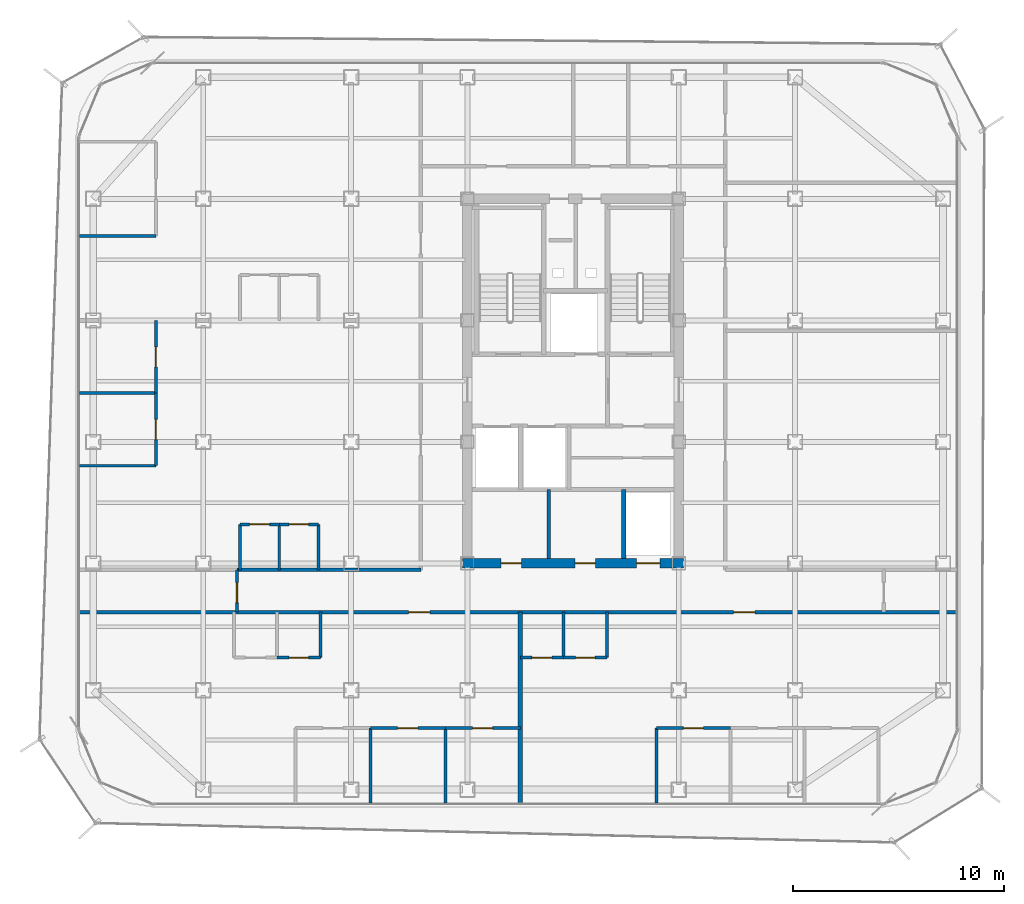
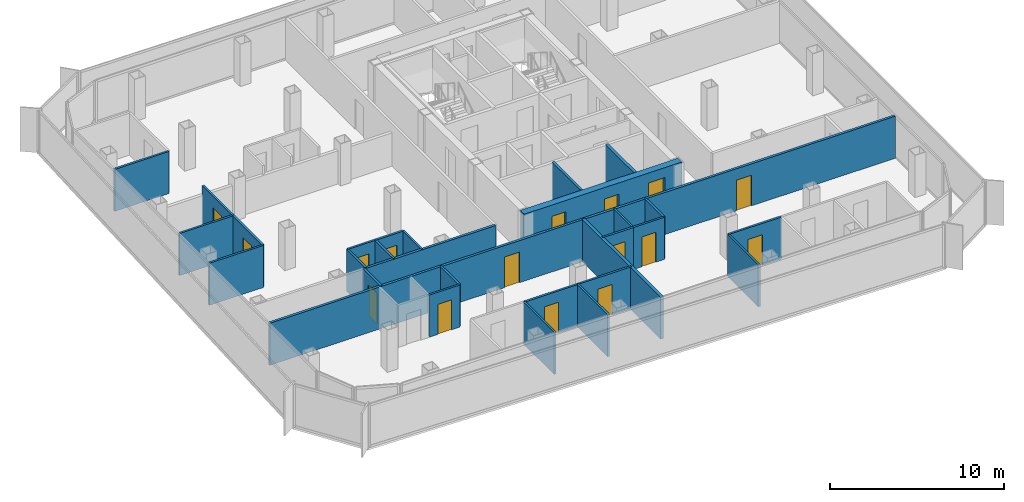
# One storey, part 10 of 15: 29 walls, 16 doors, 16 openings.
"""IFC4 building model written with IfcOpenShell, lengths in metres."""

from ifc_helpers import new_model, si_unit, direction, frame, frame_2d, origin, place, context, subcontext, project, spatial, rectangle, extrude, material, layer, layer_set, type_object, element, fill, save


model = new_model("IFC4")

# Units and contexts
model_context = context("Model", 3, precision=1e-05, world=origin(), true_north=direction((0.0, 1.0)))
body_context = subcontext(model_context, "Body", "Model", "MODEL_VIEW")
ifc_project = project(units=[si_unit("LENGTHUNIT", "METRE"), si_unit("AREAUNIT", "SQUARE_METRE"), si_unit("VOLUMEUNIT", "CUBIC_METRE"), si_unit("PLANEANGLEUNIT", "RADIAN"), si_unit("MASSUNIT", "GRAM", prefix="KILO")], contexts=[model_context])

# Site, building, storey
site_placement = place(None, origin())
site = spatial("IfcSite", under=ifc_project, at=site_placement, CompositionType="ELEMENT")
building_placement = place(site_placement, origin())
building = spatial("IfcBuilding", under=site, at=building_placement, Name="Kolveth Station Tower", CompositionType="ELEMENT")
storey_placement = place(building_placement, frame((0.0, 0.0, 181.699951171875)))
storey = spatial("IfcBuildingStorey", under=building, at=storey_placement, Name="L51", CompositionType="ELEMENT", Elevation=181.699951171875)

# Wall, openings, doors
ifc_material_1 = material(Name="Concrete C50/60", Category="concrete")
ifc_layer_1 = layer(ifc_material_1, 0.449951171875)
ifc_layer_set_1 = layer_set([ifc_layer_1], Name="Concrete C50/60")
wall_type_1 = type_object("IfcWallType", Name="Wall_CW-450", PredefinedType="SHEAR", material=ifc_layer_set_1)
wall_1_placement = place(storey_placement, frame((18.27490234375, 11.5, 0.0), z_axis=(0.0, 0.0, 1.0), x_axis=(1.0, 0.0, 0.0)))
wall_1 = element("IfcWall", 1, at=wall_1_placement, inside=storey, type_object=wall_type_1, Name="L51 Core RC Shear Wall S", PredefinedType="SHEAR", context=body_context, shape_type="SweptSolid", body=[
    extrude(rectangle(XDim=10.4501953125, YDim=0.449951171875, at=frame_2d((5.22509765625, 0.0))), origin(), (0.0, 0.0, 1.0), 2.949951171875),
])
opening_1_placement = place(wall_1_placement, frame((1.824951171875, 0.0, 0.0)))
opening_1 = element("IfcOpeningElement", 2, at=opening_1_placement, cuts=wall_1, Name="Opening ID1", PredefinedType="OPENING", context=body_context, shape_type="SweptSolid", body=[
    extrude(rectangle(XDim=0.949951171875, YDim=2.14990234375, at=frame_2d((0.47509765625, 1.074951171875))), frame((0.0, 0.23486328125, 0.0), z_axis=(0.0, -1.0, 0.0), x_axis=(1.0, 0.0, 0.0)), (0.0, 0.0, 1.0), 0.469970703125),
])
opening_2_placement = place(wall_1_placement, frame((5.324951171875, 0.0, 0.0)))
opening_2 = element("IfcOpeningElement", 3, at=opening_2_placement, cuts=wall_1, Name="Opening ID1", PredefinedType="OPENING", context=body_context, shape_type="SweptSolid", body=[
    extrude(rectangle(XDim=0.949951171875, YDim=2.14990234375, at=frame_2d((0.47509765625, 1.074951171875))), frame((0.0, 0.23486328125, 0.0), z_axis=(0.0, -1.0, 0.0), x_axis=(1.0, 0.0, 0.0)), (0.0, 0.0, 1.0), 0.469970703125),
])
opening_3_placement = place(wall_1_placement, frame((8.22509765625, 0.0, 0.0)))
opening_3 = element("IfcOpeningElement", 4, at=opening_3_placement, cuts=wall_1, Name="Opening LD1", PredefinedType="OPENING", context=body_context, shape_type="SweptSolid", body=[
    extrude(rectangle(XDim=1.10009765625, YDim=2.25, at=frame_2d((0.550048828125, 1.125))), frame((0.0, 0.23486328125, 0.0), z_axis=(0.0, -1.0, 0.0), x_axis=(1.0, 0.0, 0.0)), (0.0, 0.0, 1.0), 0.469970703125),
])
ifc_material_2 = material(Name="Acoustic hardwood leaf and aluminium frame", Category="wood")
door_type_1 = type_object("IfcDoorType", Name="Door_ID1", OperationType="NOTDEFINED", PredefinedType="DOOR", material=ifc_material_2)
door_1_placement = place(opening_1_placement, frame((0.949951171875, 0.0, 0.0), z_axis=(0.0, 0.0, 1.0), x_axis=(-1.0, 0.0, 0.0)))
door_1 = element("IfcDoor", 5, at=door_1_placement, inside=storey, type_object=door_type_1, Name="L51 Laundry Room Door", OperationType="SINGLE_SWING_LEFT", OverallHeight=2.14990234375, OverallWidth=0.949951171875, PredefinedType="DOOR", context=body_context, shape_type="SweptSolid", body=[
    extrude(rectangle(XDim=0.949951171875, YDim=2.14990234375, at=frame_2d((0.47509765625, 1.074951171875))), frame((0.0, 0.02490234375, 0.0), z_axis=(0.0, -1.0, 0.0), x_axis=(1.0, 0.0, 0.0)), (0.0, 0.0, 1.0), 0.050048828125),
])
fill(opening_1, door_1)
door_2_placement = place(opening_2_placement, frame((0.949951171875, 0.0, 0.0), z_axis=(0.0, 0.0, 1.0), x_axis=(-1.0, 0.0, 0.0)))
door_2 = element("IfcDoor", 6, at=door_2_placement, inside=storey, type_object=door_type_1, Name="L51 Parcel Room Door", OperationType="SINGLE_SWING_LEFT", OverallHeight=2.14990234375, OverallWidth=0.949951171875, PredefinedType="DOOR", context=body_context, shape_type="SweptSolid", body=[
    extrude(rectangle(XDim=0.949951171875, YDim=2.14990234375, at=frame_2d((0.47509765625, 1.074951171875))), frame((0.0, 0.02490234375, 0.0), z_axis=(0.0, -1.0, 0.0), x_axis=(1.0, 0.0, 0.0)), (0.0, 0.0, 1.0), 0.050048828125),
])
fill(opening_2, door_2)
ifc_material_3 = material(Name="Brushed stainless steel sliding landing doors", Category="steel")
door_type_2 = type_object("IfcDoorType", Name="Door_LD1", OperationType="NOTDEFINED", PredefinedType="DOOR", material=ifc_material_3)
door_3_placement = place(opening_3_placement, frame((1.10009765625, 0.0, 0.0), z_axis=(0.0, 0.0, 1.0), x_axis=(-1.0, 0.0, 0.0)))
door_3 = element("IfcDoor", 7, at=door_3_placement, inside=storey, type_object=door_type_2, Name="L51 Lift PH1 Landing Door", OperationType="DOUBLE_DOOR_SLIDING", OverallHeight=2.25, OverallWidth=1.10009765625, PredefinedType="DOOR", context=body_context, shape_type="SweptSolid", body=[
    extrude(rectangle(XDim=1.10009765625, YDim=2.25, at=frame_2d((0.550048828125, 1.125))), frame((0.0, 0.02490234375, 0.0), z_axis=(0.0, -1.0, 0.0), x_axis=(1.0, 0.0, 0.0)), (0.0, 0.0, 1.0), 0.050048828125),
])
fill(opening_3, door_3)

# Wall, opening, door
ifc_material_4 = material(Name="Moisture-resistant gypsum partition")
ifc_layer_2 = layer(ifc_material_4, 0.135009765625)
ifc_layer_set_2 = layer_set([ifc_layer_2], Name="Moisture-resistant gypsum partition")
wall_type_2 = type_object("IfcWallType", Name="Wall_IW-135", PredefinedType="PARTITIONING", material=ifc_layer_set_2)
wall_2_placement = place(storey_placement, frame((9.5, 7.050048828125, 0.0), z_axis=(0.0, 0.0, 1.0), x_axis=(1.0, 0.0, 0.0)))
wall_2 = element("IfcWall", 8, at=wall_2_placement, inside=storey, type_object=wall_type_2, Name="L51 Partition Wall WL-L51-A1-IBHB", PredefinedType="PARTITIONING", context=body_context, shape_type="SweptSolid", body=[
    extrude(rectangle(XDim=2.050048828125, YDim=0.135009765625, at=frame_2d((1.02490234375, 0.0))), origin(), (0.0, 0.0, 1.0), 2.949951171875),
])
opening_4_placement = place(wall_2_placement, frame((0.56494140625, 0.0, 0.0)))
opening_4 = element("IfcOpeningElement", 9, at=opening_4_placement, cuts=wall_2, Name="Opening ID2", PredefinedType="OPENING", context=body_context, shape_type="SweptSolid", body=[
    extrude(rectangle(XDim=0.919921875, YDim=2.10009765625, at=frame_2d((0.4599609375, 1.050048828125))), frame((0.0, 0.077392578125, 0.0), z_axis=(0.0, -1.0, 0.0), x_axis=(1.0, 0.0, 0.0)), (0.0, 0.0, 1.0), 0.155029296875),
])
ifc_material_5 = material(Name="Moisture-resistant hardwood leaf", Category="wood")
door_type_3 = type_object("IfcDoorType", Name="Door_ID2", OperationType="NOTDEFINED", PredefinedType="DOOR", material=ifc_material_5)
door_4_placement = place(opening_4_placement, origin())
door_4 = element("IfcDoor", 10, at=door_4_placement, inside=storey, type_object=door_type_3, Name="Penthouse Flat L51-A1 Bathroom Door", OperationType="SINGLE_SWING_LEFT", OverallHeight=2.10009765625, OverallWidth=0.919921875, PredefinedType="DOOR", context=body_context, shape_type="SweptSolid", body=[
    extrude(rectangle(XDim=0.919921875, YDim=2.10009765625, at=frame_2d((0.4599609375, 1.050048828125))), frame((0.0, 0.02490234375, 0.0), z_axis=(0.0, -1.0, 0.0), x_axis=(1.0, 0.0, 0.0)), (0.0, 0.0, 1.0), 0.050048828125),
])
fill(opening_4, door_4)

# Wall
wall_3_placement = place(storey_placement, frame((11.550048828125, 7.050048828125, 0.0), z_axis=(0.0, 0.0, 1.0), x_axis=(0.0, 1.0, 0.0)))
element("IfcWall", 11, at=wall_3_placement, inside=storey, type_object=wall_type_2, Name="L51 Partition Wall WL-L51-A1-IBV2", PredefinedType="PARTITIONING", context=body_context, shape_type="SweptSolid", body=[
    extrude(rectangle(XDim=2.14990234375, YDim=0.135009765625, at=frame_2d((1.074951171875, 0.0))), origin(), (0.0, 0.0, 1.0), 2.949951171875),
])

# Wall, opening, door
wall_4_placement = place(storey_placement, frame((13.911376953125, 3.7099609375, 0.0), z_axis=(0.0, 0.0, 1.0), x_axis=(1.0, 0.0, 0.0)))
wall_4 = element("IfcWall", 12, at=wall_4_placement, inside=storey, type_object=wall_type_2, Name="L51 Partition Wall WL-L51-A1-BDH2", PredefinedType="PARTITIONING", context=body_context, shape_type="SweptSolid", body=[
    extrude(rectangle(XDim=3.54443359375, YDim=0.135009765625, at=frame_2d((1.772216796875, 0.0))), origin(), (0.0, 0.0, 1.0), 2.949951171875),
])
opening_5_placement = place(wall_4_placement, frame((1.2919921875, 0.0, 0.0)))
opening_5 = element("IfcOpeningElement", 13, at=opening_5_placement, cuts=wall_4, Name="Opening ID1", PredefinedType="OPENING", context=body_context, shape_type="SweptSolid", body=[
    extrude(rectangle(XDim=0.949951171875, YDim=2.14990234375, at=frame_2d((0.47509765625, 1.074951171875))), frame((0.0, 0.077392578125, 0.0), z_axis=(0.0, -1.0, 0.0), x_axis=(1.0, 0.0, 0.0)), (0.0, 0.0, 1.0), 0.155029296875),
])
door_5_placement = place(opening_5_placement, frame((0.949951171875, 0.0, 0.0), z_axis=(0.0, 0.0, 1.0), x_axis=(-1.0, 0.0, 0.0)))
door_5 = element("IfcDoor", 14, at=door_5_placement, inside=storey, type_object=door_type_1, Name="Penthouse Flat L51-A1 Bedroom 2 Door", OperationType="SINGLE_SWING_LEFT", OverallHeight=2.14990234375, OverallWidth=0.949951171875, PredefinedType="DOOR", context=body_context, shape_type="SweptSolid", body=[
    extrude(rectangle(XDim=0.949951171875, YDim=2.14990234375, at=frame_2d((0.47509765625, 1.074951171875))), frame((0.0, 0.02490234375, 0.0), z_axis=(0.0, -1.0, 0.0), x_axis=(1.0, 0.0, 0.0)), (0.0, 0.0, 1.0), 0.050048828125),
])
fill(opening_5, door_5)

# Wall
wall_5_placement = place(storey_placement, frame((13.911376953125, 0.159912109375, 0.0), z_axis=(0.0, 0.0, 1.0), x_axis=(0.0, 1.0, 0.0)))
element("IfcWall", 15, at=wall_5_placement, inside=storey, type_object=wall_type_2, Name="L51 Partition Wall WL-L51-A1-BDV1", PredefinedType="PARTITIONING", context=body_context, shape_type="SweptSolid", body=[
    extrude(rectangle(XDim=3.550048828125, YDim=0.135009765625, at=frame_2d((1.77490234375, 0.0))), origin(), (0.0, 0.0, 1.0), 2.949951171875),
])

# Wall, opening, door
wall_6_placement = place(storey_placement, frame((17.455810546875, 3.7099609375, 0.0), z_axis=(0.0, 0.0, 1.0), x_axis=(1.0, 0.0, 0.0)))
wall_6 = element("IfcWall", 16, at=wall_6_placement, inside=storey, type_object=wall_type_2, Name="L51 Partition Wall WL-L51-A1-BDH3", PredefinedType="PARTITIONING", context=body_context, shape_type="SweptSolid", body=[
    extrude(rectangle(XDim=3.544189453125, YDim=0.135009765625, at=frame_2d((1.77197265625, 0.0))), origin(), (0.0, 0.0, 1.0), 2.949951171875),
])
opening_6_placement = place(wall_6_placement, frame((1.2919921875, 0.0, 0.0)))
opening_6 = element("IfcOpeningElement", 17, at=opening_6_placement, cuts=wall_6, Name="Opening ID1", PredefinedType="OPENING", context=body_context, shape_type="SweptSolid", body=[
    extrude(rectangle(XDim=0.949951171875, YDim=2.14990234375, at=frame_2d((0.47509765625, 1.074951171875))), frame((0.0, 0.077392578125, 0.0), z_axis=(0.0, -1.0, 0.0), x_axis=(1.0, 0.0, 0.0)), (0.0, 0.0, 1.0), 0.155029296875),
])
door_6_placement = place(opening_6_placement, frame((0.949951171875, 0.0, 0.0), z_axis=(0.0, 0.0, 1.0), x_axis=(-1.0, 0.0, 0.0)))
door_6 = element("IfcDoor", 18, at=door_6_placement, inside=storey, type_object=door_type_1, Name="Penthouse Flat L51-A1 Bedroom 3 Door", OperationType="SINGLE_SWING_RIGHT", OverallHeight=2.14990234375, OverallWidth=0.949951171875, PredefinedType="DOOR", context=body_context, shape_type="SweptSolid", body=[
    extrude(rectangle(XDim=0.949951171875, YDim=2.14990234375, at=frame_2d((0.47509765625, 1.074951171875))), frame((0.0, 0.02490234375, 0.0), z_axis=(0.0, -1.0, 0.0), x_axis=(1.0, 0.0, 0.0)), (0.0, 0.0, 1.0), 0.050048828125),
])
fill(opening_6, door_6)

# Wall
wall_7_placement = place(storey_placement, frame((17.455810546875, 0.159912109375, 0.0), z_axis=(0.0, 0.0, 1.0), x_axis=(0.0, 1.0, 0.0)))
element("IfcWall", 19, at=wall_7_placement, inside=storey, type_object=wall_type_2, Name="L51 Partition Wall WL-L51-A1-BDV2", PredefinedType="PARTITIONING", context=body_context, shape_type="SweptSolid", body=[
    extrude(rectangle(XDim=3.550048828125, YDim=0.135009765625, at=frame_2d((1.77490234375, 0.0))), origin(), (0.0, 0.0, 1.0), 2.949951171875),
])

# Wall, opening, door
wall_8_placement = place(storey_placement, frame((21.0, 7.050048828125, 0.0), z_axis=(0.0, 0.0, 1.0), x_axis=(1.0, 0.0, 0.0)))
wall_8 = element("IfcWall", 20, at=wall_8_placement, inside=storey, type_object=wall_type_2, Name="L51 Partition Wall WL-L51-A2-IBHK", PredefinedType="PARTITIONING", context=body_context, shape_type="SweptSolid", body=[
    extrude(rectangle(XDim=2.050048828125, YDim=0.135009765625, at=frame_2d((1.02490234375, 0.0))), origin(), (0.0, 0.0, 1.0), 2.949951171875),
])
opening_7_placement = place(wall_8_placement, frame((0.544921875, 0.0, 0.0)))
opening_7 = element("IfcOpeningElement", 21, at=opening_7_placement, cuts=wall_8, Name="Opening ID1", PredefinedType="OPENING", context=body_context, shape_type="SweptSolid", body=[
    extrude(rectangle(XDim=0.949951171875, YDim=2.14990234375, at=frame_2d((0.47509765625, 1.074951171875))), frame((0.0, 0.077392578125, 0.0), z_axis=(0.0, -1.0, 0.0), x_axis=(1.0, 0.0, 0.0)), (0.0, 0.0, 1.0), 0.155029296875),
])
door_7_placement = place(opening_7_placement, origin())
door_7 = element("IfcDoor", 22, at=door_7_placement, inside=storey, type_object=door_type_1, Name="Penthouse Flat L51-A2 Kitchen Door", OperationType="SINGLE_SWING_RIGHT", OverallHeight=2.14990234375, OverallWidth=0.949951171875, PredefinedType="DOOR", context=body_context, shape_type="SweptSolid", body=[
    extrude(rectangle(XDim=0.949951171875, YDim=2.14990234375, at=frame_2d((0.47509765625, 1.074951171875))), frame((0.0, 0.02490234375, 0.0), z_axis=(0.0, -1.0, 0.0), x_axis=(1.0, 0.0, 0.0)), (0.0, 0.0, 1.0), 0.050048828125),
])
fill(opening_7, door_7)

wall_9_placement = place(storey_placement, frame((23.050048828125, 7.050048828125, 0.0), z_axis=(0.0, 0.0, 1.0), x_axis=(1.0, 0.0, 0.0)))
wall_9 = element("IfcWall", 23, at=wall_9_placement, inside=storey, type_object=wall_type_2, Name="L51 Partition Wall WL-L51-A2-IBHB", PredefinedType="PARTITIONING", context=body_context, shape_type="SweptSolid", body=[
    extrude(rectangle(XDim=2.050048828125, YDim=0.135009765625, at=frame_2d((1.02490234375, 0.0))), origin(), (0.0, 0.0, 1.0), 2.949951171875),
])
opening_8_placement = place(wall_9_placement, frame((0.56494140625, 0.0, 0.0)))
opening_8 = element("IfcOpeningElement", 24, at=opening_8_placement, cuts=wall_9, Name="Opening ID2", PredefinedType="OPENING", context=body_context, shape_type="SweptSolid", body=[
    extrude(rectangle(XDim=0.919921875, YDim=2.10009765625, at=frame_2d((0.4599609375, 1.050048828125))), frame((0.0, 0.077392578125, 0.0), z_axis=(0.0, -1.0, 0.0), x_axis=(1.0, 0.0, 0.0)), (0.0, 0.0, 1.0), 0.155029296875),
])
door_8_placement = place(opening_8_placement, origin())
door_8 = element("IfcDoor", 25, at=door_8_placement, inside=storey, type_object=door_type_3, Name="Penthouse Flat L51-A2 Bathroom Door", OperationType="SINGLE_SWING_LEFT", OverallHeight=2.10009765625, OverallWidth=0.919921875, PredefinedType="DOOR", context=body_context, shape_type="SweptSolid", body=[
    extrude(rectangle(XDim=0.919921875, YDim=2.10009765625, at=frame_2d((0.4599609375, 1.050048828125))), frame((0.0, 0.02490234375, 0.0), z_axis=(0.0, -1.0, 0.0), x_axis=(1.0, 0.0, 0.0)), (0.0, 0.0, 1.0), 0.050048828125),
])
fill(opening_8, door_8)

# Walls
for number, where, z_axis, x_axis, name in (
    (26, (23.050048828125, 7.050048828125, 0.0), (0.0, 0.0, 1.0), (0.0, 1.0, 0.0), "L51 Partition Wall WL-L51-A2-IBV1"),
    (27, (25.10009765625, 7.050048828125, 0.0), (0.0, 0.0, 1.0), (0.0, 1.0, 0.0), "L51 Partition Wall WL-L51-A2-IBV2"),
):
    element("IfcWall", number, at=place(storey_placement, frame(where, z_axis=z_axis, x_axis=x_axis)), inside=storey, type_object=wall_type_2, Name=name, PredefinedType="PARTITIONING", context=body_context, shape_type="SweptSolid", body=[
        extrude(rectangle(XDim=2.14990234375, YDim=0.135009765625, at=frame_2d((1.074951171875, 0.0))), origin(), (0.0, 0.0, 1.0), 2.949951171875),
    ])
wall_10_placement = place(storey_placement, frame((27.44091796875, 0.159912109375, 0.0), z_axis=(0.0, 0.0, 1.0), x_axis=(0.0, 1.0, 0.0)))
element("IfcWall", 28, at=wall_10_placement, inside=storey, type_object=wall_type_2, Name="L51 Partition Wall WL-L51-A2-BDV0", PredefinedType="PARTITIONING", context=body_context, shape_type="SweptSolid", body=[
    extrude(rectangle(XDim=3.550048828125, YDim=0.135009765625, at=frame_2d((1.77490234375, 0.0))), origin(), (0.0, 0.0, 1.0), 2.949951171875),
])

# Wall, opening, door
wall_11_placement = place(storey_placement, frame((27.44091796875, 3.7099609375, 0.0), z_axis=(0.0, 0.0, 1.0), x_axis=(1.0, 0.0, 0.0)))
wall_11 = element("IfcWall", 29, at=wall_11_placement, inside=storey, type_object=wall_type_2, Name="L51 Partition Wall WL-L51-A2-BDH1", PredefinedType="PARTITIONING", context=body_context, shape_type="SweptSolid", body=[
    extrude(rectangle(XDim=3.503173828125, YDim=0.135009765625, at=frame_2d((1.75146484375, 0.0))), origin(), (0.0, 0.0, 1.0), 2.949951171875),
])
opening_9_placement = place(wall_11_placement, frame((1.27099609375, 0.0, 0.0)))
opening_9 = element("IfcOpeningElement", 30, at=opening_9_placement, cuts=wall_11, Name="Opening ID1", PredefinedType="OPENING", context=body_context, shape_type="SweptSolid", body=[
    extrude(rectangle(XDim=0.949951171875, YDim=2.14990234375, at=frame_2d((0.47509765625, 1.074951171875))), frame((0.0, 0.077392578125, 0.0), z_axis=(0.0, -1.0, 0.0), x_axis=(1.0, 0.0, 0.0)), (0.0, 0.0, 1.0), 0.155029296875),
])
door_9_placement = place(opening_9_placement, frame((0.949951171875, 0.0, 0.0), z_axis=(0.0, 0.0, 1.0), x_axis=(-1.0, 0.0, 0.0)))
door_9 = element("IfcDoor", 31, at=door_9_placement, inside=storey, type_object=door_type_1, Name="Penthouse Flat L51-A2 Bedroom 1 Door", OperationType="SINGLE_SWING_LEFT", OverallHeight=2.14990234375, OverallWidth=0.949951171875, PredefinedType="DOOR", context=body_context, shape_type="SweptSolid", body=[
    extrude(rectangle(XDim=0.949951171875, YDim=2.14990234375, at=frame_2d((0.47509765625, 1.074951171875))), frame((0.0, 0.02490234375, 0.0), z_axis=(0.0, -1.0, 0.0), x_axis=(1.0, 0.0, 0.0)), (0.0, 0.0, 1.0), 0.050048828125),
])
fill(opening_9, door_9)

wall_12_placement = place(storey_placement, frame((7.75, 13.35009765625, 0.0), z_axis=(0.0, 0.0, 1.0), x_axis=(1.0, 0.0, 0.0)))
wall_12 = element("IfcWall", 32, at=wall_12_placement, inside=storey, type_object=wall_type_2, Name="L51 Partition Wall WL-L51-W1-IBHK", PredefinedType="PARTITIONING", context=body_context, shape_type="SweptSolid", body=[
    extrude(rectangle(XDim=1.85009765625, YDim=0.135009765625, at=frame_2d((0.925048828125, 0.0))), origin(), (0.0, 0.0, 1.0), 2.949951171875),
])
opening_10_placement = place(wall_12_placement, frame((0.445068359375, 0.0, 0.0)))
opening_10 = element("IfcOpeningElement", 33, at=opening_10_placement, cuts=wall_12, Name="Opening ID1", PredefinedType="OPENING", context=body_context, shape_type="SweptSolid", body=[
    extrude(rectangle(XDim=0.949951171875, YDim=2.14990234375, at=frame_2d((0.47509765625, 1.074951171875))), frame((0.0, 0.077392578125, 0.0), z_axis=(0.0, -1.0, 0.0), x_axis=(1.0, 0.0, 0.0)), (0.0, 0.0, 1.0), 0.155029296875),
])
door_10_placement = place(opening_10_placement, origin())
door_10 = element("IfcDoor", 34, at=door_10_placement, inside=storey, type_object=door_type_1, Name="Penthouse Flat L51-W1 Kitchen Door", OperationType="SINGLE_SWING_RIGHT", OverallHeight=2.14990234375, OverallWidth=0.949951171875, PredefinedType="DOOR", context=body_context, shape_type="SweptSolid", body=[
    extrude(rectangle(XDim=0.949951171875, YDim=2.14990234375, at=frame_2d((0.47509765625, 1.074951171875))), frame((0.0, 0.02490234375, 0.0), z_axis=(0.0, -1.0, 0.0), x_axis=(1.0, 0.0, 0.0)), (0.0, 0.0, 1.0), 0.050048828125),
])
fill(opening_10, door_10)

wall_13_placement = place(storey_placement, frame((9.60009765625, 13.35009765625, 0.0), z_axis=(0.0, 0.0, 1.0), x_axis=(1.0, 0.0, 0.0)))
wall_13 = element("IfcWall", 35, at=wall_13_placement, inside=storey, type_object=wall_type_2, Name="L51 Partition Wall WL-L51-W1-IBHB", PredefinedType="PARTITIONING", context=body_context, shape_type="SweptSolid", body=[
    extrude(rectangle(XDim=1.849853515625, YDim=0.135009765625, at=frame_2d((0.9248046875, 0.0))), origin(), (0.0, 0.0, 1.0), 2.949951171875),
])
opening_11_placement = place(wall_13_placement, frame((0.465087890625, 0.0, 0.0)))
opening_11 = element("IfcOpeningElement", 36, at=opening_11_placement, cuts=wall_13, Name="Opening ID2", PredefinedType="OPENING", context=body_context, shape_type="SweptSolid", body=[
    extrude(rectangle(XDim=0.919921875, YDim=2.10009765625, at=frame_2d((0.4599609375, 1.050048828125))), frame((0.0, 0.077392578125, 0.0), z_axis=(0.0, -1.0, 0.0), x_axis=(1.0, 0.0, 0.0)), (0.0, 0.0, 1.0), 0.155029296875),
])
door_11_placement = place(opening_11_placement, origin())
door_11 = element("IfcDoor", 37, at=door_11_placement, inside=storey, type_object=door_type_3, Name="Penthouse Flat L51-W1 Bathroom Door", OperationType="SINGLE_SWING_LEFT", OverallHeight=2.10009765625, OverallWidth=0.919921875, PredefinedType="DOOR", context=body_context, shape_type="SweptSolid", body=[
    extrude(rectangle(XDim=0.919921875, YDim=2.10009765625, at=frame_2d((0.4599609375, 1.050048828125))), frame((0.0, 0.02490234375, 0.0), z_axis=(0.0, -1.0, 0.0), x_axis=(1.0, 0.0, 0.0)), (0.0, 0.0, 1.0), 0.050048828125),
])
fill(opening_11, door_11)

# Walls
for number, where, z_axis, x_axis, name in (
    (38, (7.75, 11.199951171875, 0.0), (0.0, 0.0, 1.0), (0.0, 1.0, 0.0), "L51 Partition Wall WL-L51-W1-IBV0"),
    (39, (9.60009765625, 11.199951171875, 0.0), (0.0, 0.0, 1.0), (0.0, 1.0, 0.0), "L51 Partition Wall WL-L51-W1-IBV1"),
    (40, (11.449951171875, 11.199951171875, 0.0), (0.0, 0.0, 1.0), (0.0, 1.0, 0.0), "L51 Partition Wall WL-L51-W1-IBV2"),
):
    element("IfcWall", number, at=place(storey_placement, frame(where, z_axis=z_axis, x_axis=x_axis)), inside=storey, type_object=wall_type_2, Name=name, PredefinedType="PARTITIONING", context=body_context, shape_type="SweptSolid", body=[
        extrude(rectangle(XDim=2.150146484375, YDim=0.135009765625, at=frame_2d((1.0751953125, 0.0))), origin(), (0.0, 0.0, 1.0), 2.949951171875),
    ])
wall_14_placement = place(storey_placement, frame((0.159912109375, 16.1240234375, 0.0), z_axis=(0.0, 0.0, 1.0), x_axis=(1.0, 0.0, 0.0)))
element("IfcWall", 41, at=wall_14_placement, inside=storey, type_object=wall_type_2, Name="L51 Partition Wall WL-L51-W1-BDH0", PredefinedType="PARTITIONING", context=body_context, shape_type="SweptSolid", body=[
    extrude(rectangle(XDim=3.60009765625, YDim=0.135009765625, at=frame_2d((1.800048828125, 0.0))), origin(), (0.0, 0.0, 1.0), 2.949951171875),
])

# Wall, opening, door
wall_15_placement = place(storey_placement, frame((3.760009765625, 16.1240234375, 0.0), z_axis=(0.0, 0.0, 1.0), x_axis=(0.0, 1.0, 0.0)))
wall_15 = element("IfcWall", 42, at=wall_15_placement, inside=storey, type_object=wall_type_2, Name="L51 Partition Wall WL-L51-W1-BDV1", PredefinedType="PARTITIONING", context=body_context, shape_type="SweptSolid", body=[
    extrude(rectangle(XDim=3.43798828125, YDim=0.135009765625, at=frame_2d((1.718994140625, 0.0))), origin(), (0.0, 0.0, 1.0), 2.949951171875),
])
opening_12_placement = place(wall_15_placement, frame((1.239013671875, 0.0, 0.0)))
opening_12 = element("IfcOpeningElement", 43, at=opening_12_placement, cuts=wall_15, Name="Opening ID1", PredefinedType="OPENING", context=body_context, shape_type="SweptSolid", body=[
    extrude(rectangle(XDim=0.949951171875, YDim=2.14990234375, at=frame_2d((0.47509765625, 1.074951171875))), frame((0.0, 0.077392578125, 0.0), z_axis=(0.0, -1.0, 0.0), x_axis=(1.0, 0.0, 0.0)), (0.0, 0.0, 1.0), 0.155029296875),
])
door_12_placement = place(opening_12_placement, origin())
door_12 = element("IfcDoor", 44, at=door_12_placement, inside=storey, type_object=door_type_1, Name="Penthouse Flat L51-W1 Bedroom 1 Door", OperationType="SINGLE_SWING_RIGHT", OverallHeight=2.14990234375, OverallWidth=0.949951171875, PredefinedType="DOOR", context=body_context, shape_type="SweptSolid", body=[
    extrude(rectangle(XDim=0.949951171875, YDim=2.14990234375, at=frame_2d((0.47509765625, 1.074951171875))), frame((0.0, 0.02490234375, 0.0), z_axis=(0.0, -1.0, 0.0), x_axis=(1.0, 0.0, 0.0)), (0.0, 0.0, 1.0), 0.050048828125),
])
fill(opening_12, door_12)

wall_16_placement = place(storey_placement, frame((3.760009765625, 19.56201171875, 0.0), z_axis=(0.0, 0.0, 1.0), x_axis=(0.0, 1.0, 0.0)))
wall_16 = element("IfcWall", 45, at=wall_16_placement, inside=storey, type_object=wall_type_2, Name="L51 Partition Wall WL-L51-W1-BDV2", PredefinedType="PARTITIONING", context=body_context, shape_type="SweptSolid", body=[
    extrude(rectangle(XDim=3.43798828125, YDim=0.135009765625, at=frame_2d((1.718994140625, 0.0))), origin(), (0.0, 0.0, 1.0), 2.949951171875),
])
opening_13_placement = place(wall_16_placement, frame((1.239013671875, 0.0, 0.0)))
opening_13 = element("IfcOpeningElement", 46, at=opening_13_placement, cuts=wall_16, Name="Opening ID1", PredefinedType="OPENING", context=body_context, shape_type="SweptSolid", body=[
    extrude(rectangle(XDim=0.949951171875, YDim=2.14990234375, at=frame_2d((0.47509765625, 1.074951171875))), frame((0.0, 0.077392578125, 0.0), z_axis=(0.0, -1.0, 0.0), x_axis=(1.0, 0.0, 0.0)), (0.0, 0.0, 1.0), 0.155029296875),
])
door_13_placement = place(opening_13_placement, origin())
door_13 = element("IfcDoor", 47, at=door_13_placement, inside=storey, type_object=door_type_1, Name="Penthouse Flat L51-W1 Bedroom 2 Door", OperationType="SINGLE_SWING_LEFT", OverallHeight=2.14990234375, OverallWidth=0.949951171875, PredefinedType="DOOR", context=body_context, shape_type="SweptSolid", body=[
    extrude(rectangle(XDim=0.949951171875, YDim=2.14990234375, at=frame_2d((0.47509765625, 1.074951171875))), frame((0.0, 0.02490234375, 0.0), z_axis=(0.0, -1.0, 0.0), x_axis=(1.0, 0.0, 0.0)), (0.0, 0.0, 1.0), 0.050048828125),
])
fill(opening_13, door_13)

# Walls
for number, where, z_axis, x_axis, name in (
    (48, (0.159912109375, 19.56201171875, 0.0), (0.0, 0.0, 1.0), (1.0, 0.0, 0.0), "L51 Partition Wall WL-L51-W1-BDH1"),
    (49, (0.159912109375, 26.986083984375, 0.0), (0.0, 0.0, 1.0), (1.0, 0.0, 0.0), "L51 Partition Wall WL-L51-W2-BDH0"),
):
    element("IfcWall", number, at=place(storey_placement, frame(where, z_axis=z_axis, x_axis=x_axis)), inside=storey, type_object=wall_type_2, Name=name, PredefinedType="PARTITIONING", context=body_context, shape_type="SweptSolid", body=[
        extrude(rectangle(XDim=3.60009765625, YDim=0.135009765625, at=frame_2d((1.800048828125, 0.0))), origin(), (0.0, 0.0, 1.0), 2.949951171875),
    ])
ifc_material_6 = material(Name="Acoustic double-stud gypsum partition")
ifc_layer_3 = layer(ifc_material_6, 0.1650390625)
ifc_layer_set_3 = layer_set([ifc_layer_3], Name="Acoustic double-stud gypsum partition")
wall_type_3 = type_object("IfcWallType", Name="Wall_IW-165", PredefinedType="PARTITIONING", material=ifc_layer_set_3)
wall_17_placement = place(storey_placement, frame((22.35009765625, 11.735107421875, 0.0), z_axis=(0.0, 0.0, 1.0), x_axis=(0.0, 1.0, 0.0)))
element("IfcWall", 50, at=wall_17_placement, inside=storey, type_object=wall_type_3, Name="L51 Partition Wall WL-L51-FR-M", PredefinedType="PARTITIONING", context=body_context, shape_type="SweptSolid", body=[
    extrude(rectangle(XDim=3.264892578125, YDim=0.1650390625, at=frame_2d((1.63232421875, 0.0))), origin(), (0.0, 0.0, 1.0), 2.949951171875),
])

# Wall, openings, doors
wall_18_placement = place(storey_placement, frame((0.159912109375, 9.199951171875, 0.0), z_axis=(0.0, 0.0, 1.0), x_axis=(1.0, 0.0, 0.0)))
wall_18 = element("IfcWall", 51, at=wall_18_placement, inside=storey, type_object=wall_type_3, Name="L51 Partition Wall WL-L51-RS", PredefinedType="PARTITIONING", context=body_context, shape_type="SweptSolid", body=[
    extrude(rectangle(XDim=41.47998046875, YDim=0.1650390625, at=frame_2d((20.739990234375, 0.0))), origin(), (0.0, 0.0, 1.0), 2.949951171875),
])
opening_14_placement = place(wall_18_placement, frame((15.56494140625, 0.0, 0.0)))
opening_14 = element("IfcOpeningElement", 52, at=opening_14_placement, cuts=wall_18, Name="Opening FD3", PredefinedType="OPENING", context=body_context, shape_type="SweptSolid", body=[
    extrude(rectangle(XDim=1.0, YDim=2.14990234375, at=frame_2d((0.5, 1.074951171875))), frame((0.0, 0.092529296875, 0.0), z_axis=(0.0, -1.0, 0.0), x_axis=(1.0, 0.0, 0.0)), (0.0, 0.0, 1.0), 0.18505859375),
])
opening_15_placement = place(wall_18_placement, frame((30.93994140625, 0.0, 0.0)))
opening_15 = element("IfcOpeningElement", 53, at=opening_15_placement, cuts=wall_18, Name="Opening FD3", PredefinedType="OPENING", context=body_context, shape_type="SweptSolid", body=[
    extrude(rectangle(XDim=1.0, YDim=2.14990234375, at=frame_2d((0.5, 1.074951171875))), frame((0.0, 0.092529296875, 0.0), z_axis=(0.0, -1.0, 0.0), x_axis=(1.0, 0.0, 0.0)), (0.0, 0.0, 1.0), 0.18505859375),
])
ifc_material_7 = material(Name="Fire-rated hardwood leaf and aluminium frame", Category="wood")
door_type_4 = type_object("IfcDoorType", Name="Door_FD3", OperationType="NOTDEFINED", PredefinedType="DOOR", material=ifc_material_7)
door_14_placement = place(opening_14_placement, frame((1.0, 0.0, 0.0), z_axis=(0.0, 0.0, 1.0), x_axis=(-1.0, 0.0, 0.0)))
door_14 = element("IfcDoor", 54, at=door_14_placement, inside=storey, type_object=door_type_4, Name="Penthouse Flat L51-A1 Entrance Door", OperationType="SINGLE_SWING_LEFT", OverallHeight=2.14990234375, OverallWidth=1.0, PredefinedType="DOOR", context=body_context, shape_type="SweptSolid", body=[
    extrude(rectangle(XDim=1.0, YDim=2.14990234375, at=frame_2d((0.5, 1.074951171875))), frame((0.0, 0.02490234375, 0.0), z_axis=(0.0, -1.0, 0.0), x_axis=(1.0, 0.0, 0.0)), (0.0, 0.0, 1.0), 0.050048828125),
])
fill(opening_14, door_14)
door_15_placement = place(opening_15_placement, frame((1.0, 0.0, 0.0), z_axis=(0.0, 0.0, 1.0), x_axis=(-1.0, 0.0, 0.0)))
door_15 = element("IfcDoor", 55, at=door_15_placement, inside=storey, type_object=door_type_4, Name="Penthouse Flat L51-A2 Entrance Door", OperationType="SINGLE_SWING_LEFT", OverallHeight=2.14990234375, OverallWidth=1.0, PredefinedType="DOOR", context=body_context, shape_type="SweptSolid", body=[
    extrude(rectangle(XDim=1.0, YDim=2.14990234375, at=frame_2d((0.5, 1.074951171875))), frame((0.0, 0.02490234375, 0.0), z_axis=(0.0, -1.0, 0.0), x_axis=(1.0, 0.0, 0.0)), (0.0, 0.0, 1.0), 0.050048828125),
])
fill(opening_15, door_15)

# Wall
wall_19_placement = place(storey_placement, frame((7.60009765625, 11.199951171875, 0.0), z_axis=(0.0, 0.0, 1.0), x_axis=(1.0, 0.0, 0.0)))
element("IfcWall", 56, at=wall_19_placement, inside=storey, type_object=wall_type_3, Name="L51 Partition Wall WL-L51-RSWT", PredefinedType="PARTITIONING", context=body_context, shape_type="SweptSolid", body=[
    extrude(rectangle(XDim=8.699951171875, YDim=0.1650390625, at=frame_2d((4.35009765625, 0.0))), origin(), (0.0, 0.0, 1.0), 2.949951171875),
])

# Wall, opening, door
wall_20_placement = place(storey_placement, frame((7.60009765625, 9.199951171875, 0.0), z_axis=(0.0, 0.0, 1.0), x_axis=(0.0, 1.0, 0.0)))
wall_20 = element("IfcWall", 57, at=wall_20_placement, inside=storey, type_object=wall_type_3, Name="L51 Partition Wall WL-L51-RSWE", PredefinedType="PARTITIONING", context=body_context, shape_type="SweptSolid", body=[
    extrude(rectangle(XDim=2.0, YDim=0.1650390625, at=frame_2d((1.0, 0.0))), origin(), (0.0, 0.0, 1.0), 2.949951171875),
])
opening_16_placement = place(wall_20_placement, frame((0.449951171875, 0.0, 0.0)))
opening_16 = element("IfcOpeningElement", 58, at=opening_16_placement, cuts=wall_20, Name="Opening ID1", PredefinedType="OPENING", context=body_context, shape_type="SweptSolid", body=[
    extrude(rectangle(XDim=0.949951171875, YDim=2.14990234375, at=frame_2d((0.47509765625, 1.074951171875))), frame((0.0, 0.092529296875, 0.0), z_axis=(0.0, -1.0, 0.0), x_axis=(1.0, 0.0, 0.0)), (0.0, 0.0, 1.0), 0.18505859375),
])
door_16_placement = place(opening_16_placement, frame((0.949951171875, 0.0, 0.0), z_axis=(0.0, 0.0, 1.0), x_axis=(-1.0, 0.0, 0.0)))
door_16 = element("IfcDoor", 59, at=door_16_placement, inside=storey, type_object=door_type_1, Name="L51 West Store Door", OperationType="SINGLE_SWING_RIGHT", OverallHeight=2.14990234375, OverallWidth=0.949951171875, PredefinedType="DOOR", context=body_context, shape_type="SweptSolid", body=[
    extrude(rectangle(XDim=0.949951171875, YDim=2.14990234375, at=frame_2d((0.47509765625, 1.074951171875))), frame((0.0, 0.02490234375, 0.0), z_axis=(0.0, -1.0, 0.0), x_axis=(1.0, 0.0, 0.0)), (0.0, 0.0, 1.0), 0.050048828125),
])
fill(opening_16, door_16)

# Walls
ifc_material_8 = material(Name="Acoustic fire-rated gypsum blockwork", Category="masonry")
ifc_layer_4 = layer(ifc_material_8, 0.199951171875)
ifc_layer_set_4 = layer_set([ifc_layer_4], Name="Acoustic fire-rated gypsum blockwork")
wall_type_4 = type_object("IfcWallType", Name="Wall_IW-200", PredefinedType="PARTITIONING", material=ifc_layer_set_4)
wall_21_placement = place(storey_placement, frame((25.89990234375, 11.735107421875, 0.0), z_axis=(0.0, 0.0, 1.0), x_axis=(0.0, 1.0, 0.0)))
element("IfcWall", 60, at=wall_21_placement, inside=storey, type_object=wall_type_4, Name="L51 Partition Wall WL-L51-PMPH", PredefinedType="PARTITIONING", context=body_context, shape_type="SweptSolid", body=[
    extrude(rectangle(XDim=3.264892578125, YDim=0.199951171875, at=frame_2d((1.63232421875, 0.0))), origin(), (0.0, 0.0, 1.0), 2.949951171875),
])
wall_22_placement = place(storey_placement, frame((21.0, 0.159912109375, 0.0), z_axis=(0.0, 0.0, 1.0), x_axis=(0.0, 1.0, 0.0)))
element("IfcWall", 61, at=wall_22_placement, inside=storey, type_object=wall_type_4, Name="L51 Partition Wall WL-L51-RSU-1", PredefinedType="PARTITIONING", context=body_context, shape_type="SweptSolid", body=[
    extrude(rectangle(XDim=9.0400390625, YDim=0.199951171875, at=frame_2d((4.52001953125, 0.0))), origin(), (0.0, 0.0, 1.0), 2.949951171875),
])

save(model, "model.ifc")
